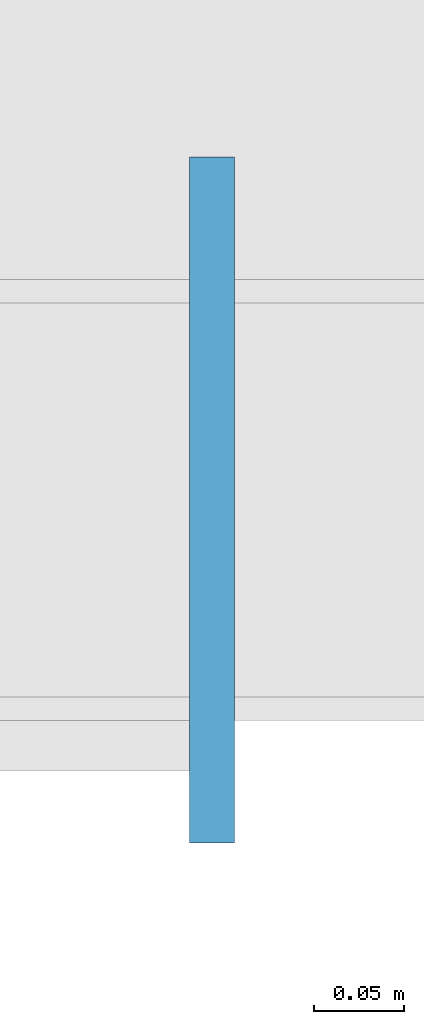
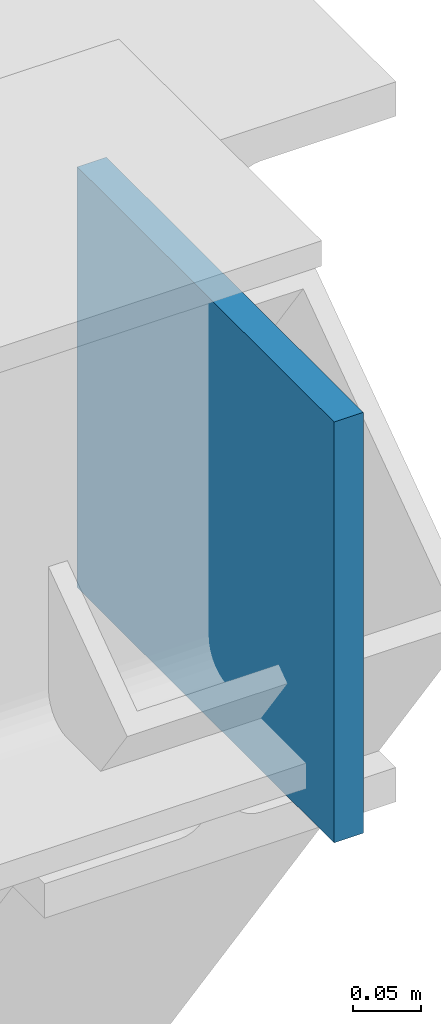
# One storey, part 86 of 109: 1 plate.
"""IFC4 building model written with IfcOpenShell, lengths in metres."""

from ifc_helpers import new_model, si_unit, direction, frame, origin, origin_2d, place, context, subcontext, project, spatial, rectangle, extrude, material, layer, layer_set, type_object, element, save


model = new_model("IFC4")

# Units and contexts
model_context = context("Model", 3, precision=1e-05, world=origin(), true_north=direction((0.0, 1.0)))
body_context = subcontext(model_context, "Body", "Model", "MODEL_VIEW")
ifc_project = project(units=[si_unit("LENGTHUNIT", "METRE"), si_unit("AREAUNIT", "SQUARE_METRE"), si_unit("VOLUMEUNIT", "CUBIC_METRE"), si_unit("PLANEANGLEUNIT", "RADIAN"), si_unit("MASSUNIT", "GRAM", prefix="KILO")], contexts=[model_context])

# Site, building, storey
site_placement = place(None, origin())
site = spatial("IfcSite", under=ifc_project, at=site_placement, CompositionType="ELEMENT")
building_placement = place(site_placement, origin())
building = spatial("IfcBuilding", under=site, at=building_placement, Name="Fikremerkos Civic Library", CompositionType="ELEMENT")
storey_placement = place(building_placement, frame((0.0, 0.0, 5.39990234375)))
storey = spatial("IfcBuildingStorey", under=building, at=storey_placement, Name="L01", CompositionType="ELEMENT", Elevation=5.39990234375)

# Plate
ifc_material = material(Name="Steel S355", Category="steel")
ifc_layer = layer(ifc_material, 0.02490234375, Name="Steel S355")
ifc_layer_set = layer_set([ifc_layer], Name="Steel S355")
plate_type = type_object("IfcPlateType", Name="Steel gusset cap plate GSP-02 380x380x25", PredefinedType="USERDEFINED", material=ifc_layer_set)
plate_placement = place(storey_placement, frame((113.699951171875, 5.60009765625, 3.6650390625), z_axis=(0.0, 0.0, 1.0), x_axis=(1.0, 0.0, 0.0)))
element("IfcPlate", 1, at=plate_placement, inside=storey, type_object=plate_type, Name="Steel gusset cap plate GSP-02 #39", ObjectType="GUSSET PLATE", PredefinedType="USERDEFINED", context=body_context, shape_type="SweptSolid", body=[
    extrude(rectangle(XDim=0.02490234375, YDim=0.3798828125, at=origin_2d()), origin(), (0.0, 0.0, 1.0), 0.3798828125),
])

save(model, "model.ifc")
